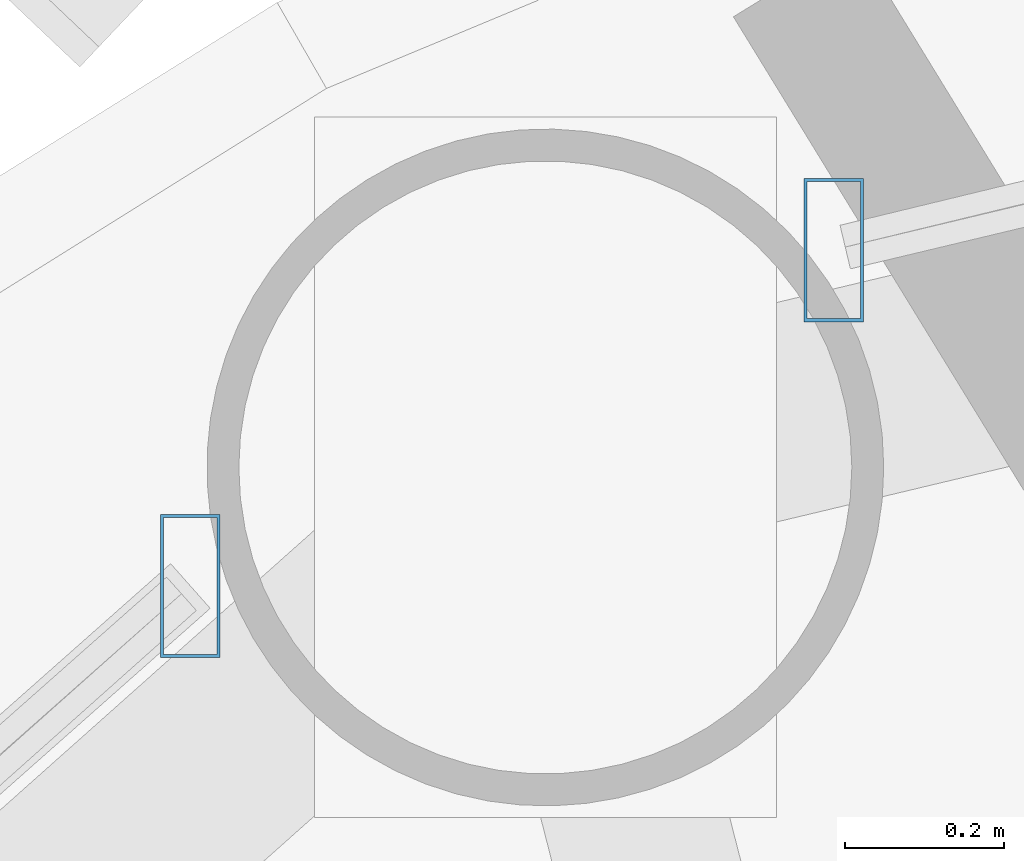
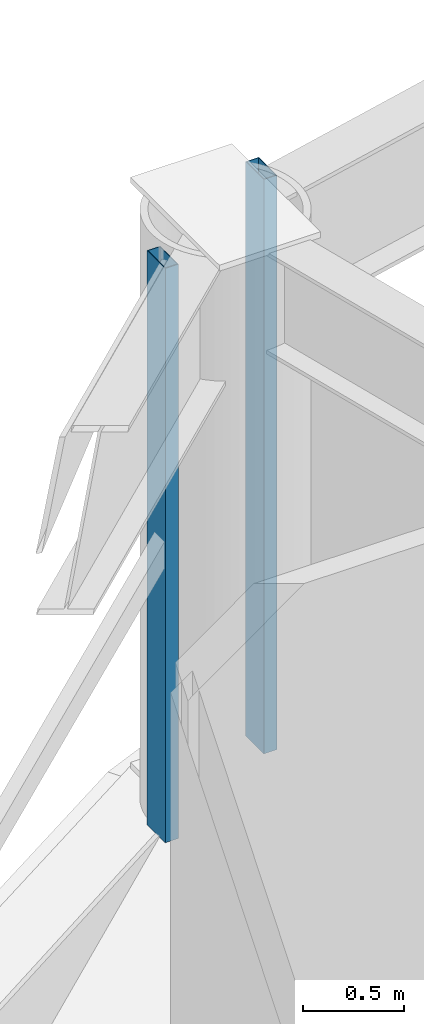
# One storey, part 15 of 31: 2 members, 2 elements without a shape of their own.
"""IFC4 building model written with IfcOpenShell, lengths in metres."""

from ifc_helpers import new_model, si_unit, direction, frame, origin, origin_2d, place, context, subcontext, project, spatial, hollow_rectangle, extrude, material, layer, layer_set, material_profile, profile_set, type_object, element, aggregate, save


model = new_model("IFC4")

# Units and contexts
model_context = context("Model", 3, precision=1e-05, world=origin(), true_north=direction((0.0, 1.0)))
body_context = subcontext(model_context, "Body", "Model", "MODEL_VIEW")
ifc_project = project(units=[si_unit("LENGTHUNIT", "METRE"), si_unit("AREAUNIT", "SQUARE_METRE"), si_unit("VOLUMEUNIT", "CUBIC_METRE"), si_unit("PLANEANGLEUNIT", "RADIAN"), si_unit("MASSUNIT", "GRAM", prefix="KILO")], contexts=[model_context])

# Site, building, storey
site_placement = place(None, origin())
site = spatial("IfcSite", under=ifc_project, at=site_placement, CompositionType="ELEMENT")
building_placement = place(site_placement, origin())
building = spatial("IfcBuilding", under=site, at=building_placement, Name="Vantalir Tower", CompositionType="ELEMENT")
storey_placement = place(building_placement, frame((0.0, 0.0, 34.5)))
storey = spatial("IfcBuildingStorey", under=building, at=storey_placement, Name="L07", CompositionType="ELEMENT", Elevation=34.5)

# Curtain wall, member
ifc_material_1 = material(Name="Champagne-silver PVDF aluminium and double-silver Low-E glass", Category="aluminium")
ifc_layer = layer(ifc_material_1, 0.18994140625)
ifc_layer_set = layer_set([ifc_layer], Name="Champagne-silver PVDF aluminium and double-silver Low-E glass")
curtain_wall_type = type_object("IfcCurtainWallType", Name="CW-DIAMOND-Z1", PredefinedType="USERDEFINED", material=ifc_layer_set)
curtain_wall_1_placement = place(storey_placement, origin())
curtain_wall_1 = element("IfcCurtainWall", 1, at=curtain_wall_1_placement, inside=storey, type_object=curtain_wall_type, Name="L07 Quilted Pyramid-Diamond Curtain Wall S04", ObjectType="UNITISED CURTAIN WALL", PredefinedType="USERDEFINED")
ifc_material_2 = material(Name="Champagne-silver PVDF aluminium 6063-T6", Category="aluminium")
ifc_material_profile = material_profile(ifc_material_2, hollow_rectangle(XDim=0.074951171875, YDim=0.179931640625, WallThickness=0.00390625, at=origin_2d()), Name="Champagne-silver PVDF aluminium 6063-T6")
ifc_profile_set = profile_set([ifc_material_profile], Name="Champagne-silver PVDF aluminium 6063-T6")
member_type = type_object("IfcMemberType", Name="CWM-180x75", PredefinedType="MULLION", material=ifc_profile_set)
member_1_placement = place(storey_placement, frame((19.136962890625, 44.90087890625, 0.044921875), z_axis=(0.0, 0.0, 1.0), x_axis=(1.0, 0.0, 0.0)))
member_1 = element("IfcMember", 2, at=member_1_placement, type_object=member_type, Name="CW-L07-S04 Mullion 2", PredefinedType="MULLION", context=body_context, shape_type="SweptSolid", body=[
    extrude(hollow_rectangle(XDim=0.074951171875, YDim=0.179931640625, WallThickness=0.00390625, at=origin_2d()), origin(), (0.0, 0.0, 1.0), 3.47998046875),
])
aggregate(curtain_wall_1, [member_1])

curtain_wall_2_placement = place(storey_placement, origin())
curtain_wall_2 = element("IfcCurtainWall", 3, at=curtain_wall_2_placement, inside=storey, type_object=curtain_wall_type, Name="L07 Quilted Pyramid-Diamond Curtain Wall S05", ObjectType="UNITISED CURTAIN WALL", PredefinedType="USERDEFINED")
member_2_placement = place(storey_placement, frame((18.3291015625, 44.47900390625, 0.044921875), z_axis=(0.0, 0.0, 1.0), x_axis=(1.0, 0.0, 0.0)))
member_2 = element("IfcMember", 4, at=member_2_placement, type_object=member_type, Name="CW-L07-S05 Mullion 1", PredefinedType="MULLION", context=body_context, shape_type="SweptSolid", body=[
    extrude(hollow_rectangle(XDim=0.074951171875, YDim=0.179931640625, WallThickness=0.00390625, at=origin_2d()), origin(), (0.0, 0.0, 1.0), 3.47998046875),
])
aggregate(curtain_wall_2, [member_2])

save(model, "model.ifc")
